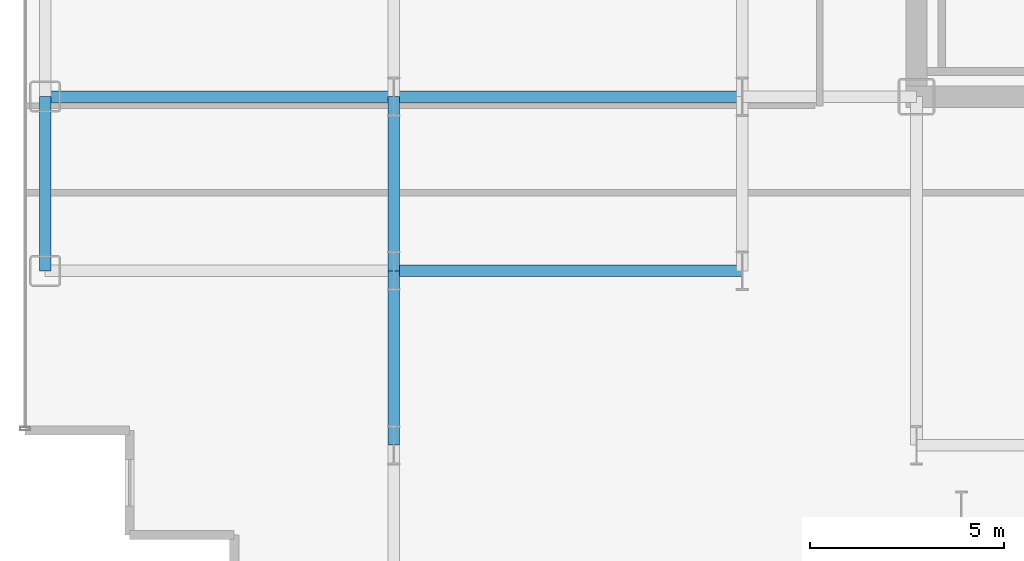
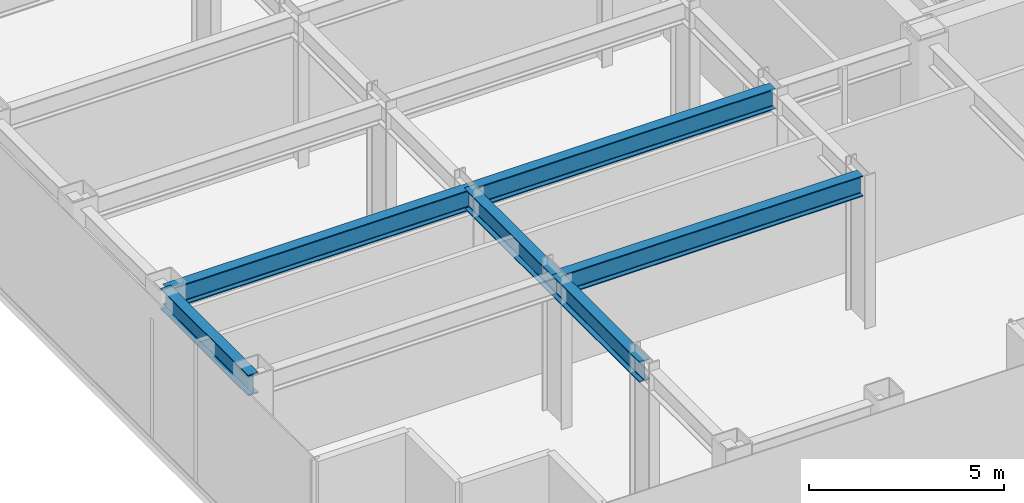
# One storey, part 3 of 27: 6 beams.
"""IFC4 building model written with IfcOpenShell, lengths in metres."""

from ifc_helpers import new_model, si_unit, direction, frame, origin, origin_2d, place, context, subcontext, project, spatial, i_section, extrude, source, transform, mapped, material, material_profile, profile_set, type_object, element, save


model = new_model("IFC4")

# Units and contexts
model_context = context("Model", 3, precision=1e-05, world=origin(), true_north=direction((0.0, 1.0)))
body_context = subcontext(model_context, "Body", "Model", "MODEL_VIEW")
ifc_project = project(units=[si_unit("LENGTHUNIT", "METRE"), si_unit("AREAUNIT", "SQUARE_METRE"), si_unit("VOLUMEUNIT", "CUBIC_METRE"), si_unit("PLANEANGLEUNIT", "RADIAN"), si_unit("MASSUNIT", "GRAM", prefix="KILO")], contexts=[model_context])

# Site, building, storey
site_placement = place(None, origin())
site = spatial("IfcSite", under=ifc_project, at=site_placement, CompositionType="ELEMENT")
building_placement = place(site_placement, origin())
building = spatial("IfcBuilding", under=site, at=building_placement, Name="Nefas-Gora Pilgrimage Tower", CompositionType="ELEMENT")
storey_placement = place(building_placement, frame((0.0, 0.0, 144.0)))
storey = spatial("IfcBuildingStorey", under=building, at=storey_placement, Name="L35", CompositionType="ELEMENT", Elevation=144.0)

# Beams
ifc_material = material(Name="Steel S355", Category="steel")
ifc_material_profile_1 = material_profile(ifc_material, i_section(OverallWidth=0.300048828125, OverallDepth=0.64990234375, WebThickness=0.01611328125, FlangeThickness=0.031005859375, FilletRadius=0.027099609375, at=origin_2d()), Name="HEB 650")
ifc_profile_set_1 = profile_set([ifc_material_profile_1], Name="Steel S355")
beam_type_1 = type_object("IfcBeamType", Name="BM-SPN-HEB500", PredefinedType="SPANDREL", material=ifc_profile_set_1)
shared_shape_1 = source(origin(), body_context, "Body", "SweptSolid", [
    extrude(i_section(OverallWidth=0.300048828125, OverallDepth=0.64990234375, WebThickness=0.01611328125, FlangeThickness=0.031005859375, FilletRadius=0.027099609375, at=origin_2d()), origin(), (0.0, 0.0, 1.0), 4.5),
])
beam_placement = place(storey_placement, frame((-33.75, -13.5, 4.22509765625), z_axis=(0.0, 1.0, 0.0), x_axis=(-1.0, 0.0, 0.0)))
element("IfcBeam", 1, at=beam_placement, inside=storey, type_object=beam_type_1, Name="L35 SP-02 beam", PredefinedType="SPANDREL", context=body_context, shape_type="MappedRepresentation", body=[
    mapped(shared_shape_1, transform((0.0, 0.0, 0.0), x_axis=(1.0, 0.0, 0.0), y_axis=(0.0, 1.0, 0.0), z_axis=(0.0, 0.0, 1.0), scale=1.0)),
])
ifc_material_profile_2 = material_profile(ifc_material, i_section(OverallWidth=0.300048828125, OverallDepth=0.64990234375, WebThickness=0.01611328125, FlangeThickness=0.031005859375, FilletRadius=0.027099609375, at=origin_2d()), Name="HEB 650")
ifc_profile_set_2 = profile_set([ifc_material_profile_2], Name="Steel S355")
beam_type_2 = type_object("IfcBeamType", Name="BM-GIR-HEB650", PredefinedType="BEAM", material=ifc_profile_set_2)
shared_shape_2 = source(origin(), body_context, "Body", "SweptSolid", [
    extrude(i_section(OverallWidth=0.300048828125, OverallDepth=0.64990234375, WebThickness=0.01611328125, FlangeThickness=0.031005859375, FilletRadius=0.027099609375, at=origin_2d()), origin(), (0.0, 0.0, 1.0), 9.0),
])
for number, where, z_axis, x_axis, name in (
    (2, (-33.75, -9.0, 4.22509765625), (1.0, 0.0, 0.0), (0.0, 1.0, 0.0), "L35 G-03 beam"),
    (3, (-24.75, -13.5, 4.22509765625), (1.0, 0.0, 0.0), (0.0, 1.0, 0.0), "L35 G-03 beam"),
    (4, (-24.75, -9.0, 4.22509765625), (1.0, 0.0, 0.0), (0.0, 1.0, 0.0), "L35 G-03 beam"),
):
    element("IfcBeam", number, at=place(storey_placement, frame(where, z_axis=z_axis, x_axis=x_axis)), inside=storey, type_object=beam_type_2, Name=name, PredefinedType="BEAM", context=body_context, shape_type="MappedRepresentation", body=[
        mapped(shared_shape_2, transform((0.0, 0.0, 0.0), x_axis=(1.0, 0.0, 0.0), y_axis=(0.0, 1.0, 0.0), z_axis=(0.0, 0.0, 1.0), scale=1.0)),
    ])
shared_shape_3 = source(origin(), body_context, "Body", "SweptSolid", [
    extrude(i_section(OverallWidth=0.300048828125, OverallDepth=0.64990234375, WebThickness=0.01611328125, FlangeThickness=0.031005859375, FilletRadius=0.027099609375, at=origin_2d()), origin(), (0.0, 0.0, 1.0), 4.5),
])
for number, where, z_axis, x_axis, name in (
    (5, (-24.75, -18.0, 4.22509765625), (0.0, 1.0, 0.0), (-1.0, 0.0, 0.0), "L35 G-03 beam"),
    (6, (-24.75, -13.5, 4.22509765625), (0.0, 1.0, 0.0), (-1.0, 0.0, 0.0), "L35 G-03 beam"),
):
    element("IfcBeam", number, at=place(storey_placement, frame(where, z_axis=z_axis, x_axis=x_axis)), inside=storey, type_object=beam_type_2, Name=name, PredefinedType="BEAM", context=body_context, shape_type="MappedRepresentation", body=[
        mapped(shared_shape_3, transform((0.0, 0.0, 0.0), x_axis=(1.0, 0.0, 0.0), y_axis=(0.0, 1.0, 0.0), z_axis=(0.0, 0.0, 1.0), scale=1.0)),
    ])

save(model, "model.ifc")
